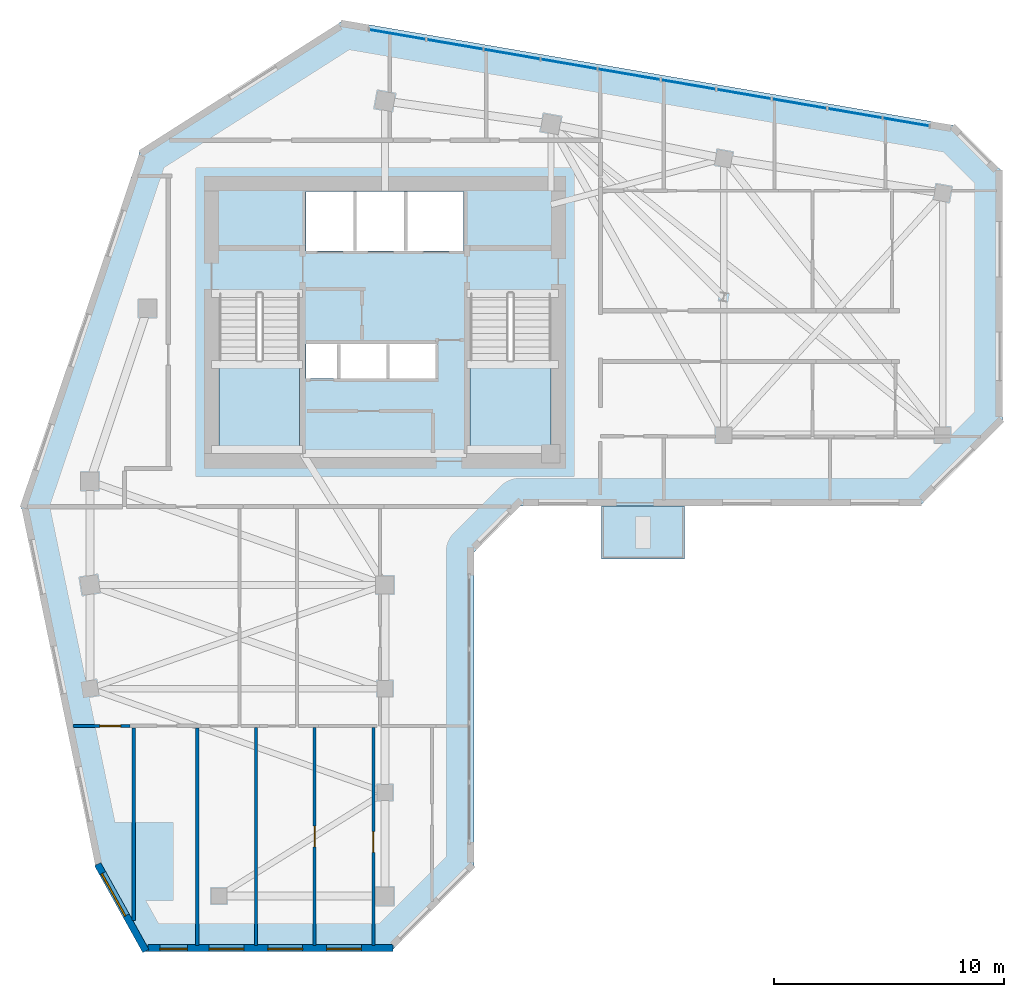
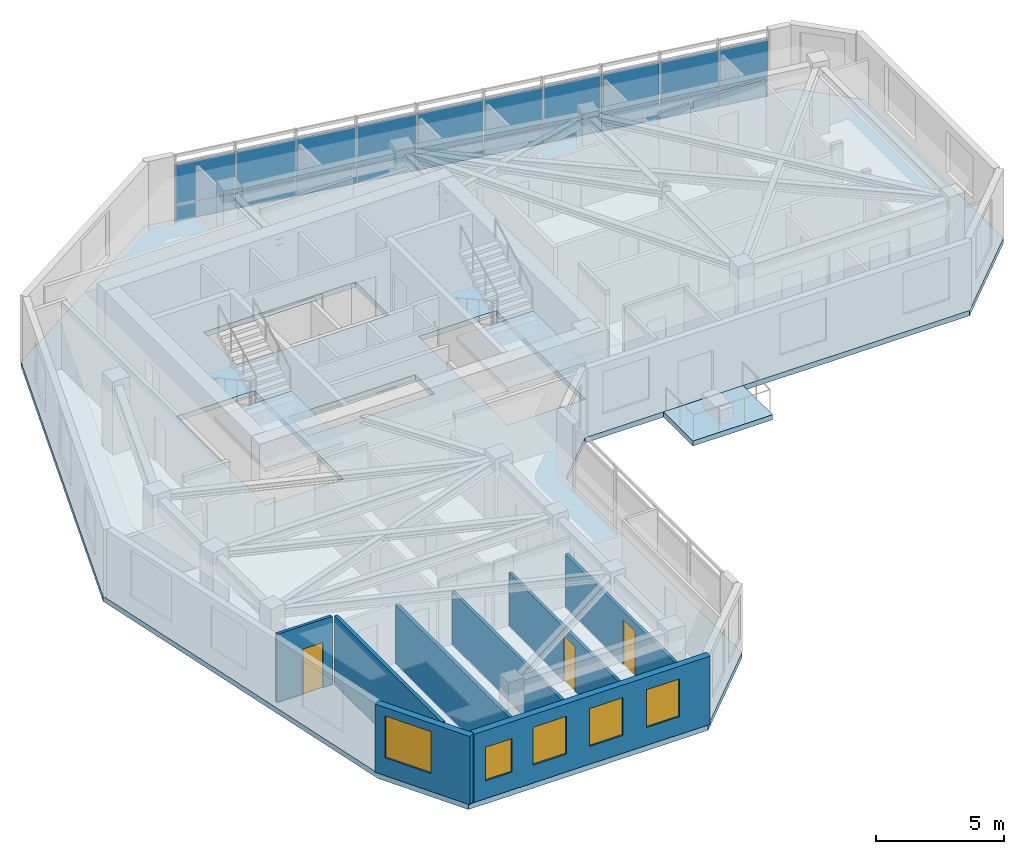
# One storey, part 4 of 11: 20 plates, 8 walls, 5 windows, 4 slabs, 3 doors, 8 openings, 3 elements without a shape of their own.
"""IFC4 building model written with IfcOpenShell, lengths in metres."""

from ifc_helpers import new_model, si_unit, direction, frame, frame_2d, origin, place, context, subcontext, project, spatial, polyline, rectangle, outline, extrude, source, transform, mapped, material, layer, layer_set, type_object, element, fill, aggregate, save


model = new_model("IFC4")

# Units and contexts
model_context = context("Model", 3, precision=1e-05, world=origin(), true_north=direction((0.0, 1.0)))
body_context = subcontext(model_context, "Body", "Model", "MODEL_VIEW")
ifc_project = project(units=[si_unit("LENGTHUNIT", "METRE"), si_unit("AREAUNIT", "SQUARE_METRE"), si_unit("VOLUMEUNIT", "CUBIC_METRE"), si_unit("PLANEANGLEUNIT", "RADIAN"), si_unit("MASSUNIT", "GRAM", prefix="KILO")], contexts=[model_context])

# Site, building, storey
site_placement = place(None, origin())
site = spatial("IfcSite", under=ifc_project, at=site_placement, CompositionType="ELEMENT")
building_placement = place(site_placement, origin())
building = spatial("IfcBuilding", under=site, at=building_placement, Name="Calvemar Wedge Station Tower", CompositionType="ELEMENT")
storey_placement = place(building_placement, frame((0.0, 0.0, 190.39990234375)))
storey = spatial("IfcBuildingStorey", under=building, at=storey_placement, Name="L47", CompositionType="ELEMENT", Elevation=190.39990234375)

# Curtain wall, plates
ifc_material_1 = material(Name="Anodised aluminium 6063-T6", Category="aluminium")
curtain_wall_type = type_object("IfcCurtainWallType", Name="CW3", PredefinedType="NOTDEFINED", material=ifc_material_1)
curtain_wall_placement = place(storey_placement, origin())
curtain_wall = element("IfcCurtainWall", 1, at=curtain_wall_placement, inside=storey, type_object=curtain_wall_type, Name="Storey L47 CW3 Recessed Unitised Curtain Wall 10", PredefinedType="NOTDEFINED")
ifc_material_2 = material(Name="Low-E laminated insulated glass", Category="glass")
ifc_layer_1 = layer(ifc_material_2, 0.028076171875)
ifc_layer_set_1 = layer_set([ifc_layer_1], Name="Low-E laminated insulated glass")
plate_type_1 = type_object("IfcPlateType", Name="CW3-GLZ", PredefinedType="CURTAIN_PANEL", material=ifc_layer_set_1)
plate_1_placement = place(storey_placement, frame((47.415771484375, 48.414794921875, 0.8701171875), z_axis=(0.0, 0.0, 1.0), x_axis=(-0.985540432015, 0.169440422758, 0.0)))
plate_1 = element("IfcPlate", 2, at=plate_1_placement, type_object=plate_type_1, Name="CW3 vision glass panel 1", PredefinedType="CURTAIN_PANEL", context=body_context, shape_type="SweptSolid", body=[
    extrude(rectangle(XDim=2.032958984375, YDim=0.028076171875, at=frame_2d((1.0166015625, 0.0))), origin(), (0.0, 0.0, 1.0), 1.909912109375),
])
plate_2_placement = place(storey_placement, frame((45.376708984375, 48.765380859375, 0.8701171875), z_axis=(0.0, 0.0, 1.0), x_axis=(-0.985524518475, 0.169532956928, 0.0)))
plate_2 = element("IfcPlate", 3, at=plate_2_placement, type_object=plate_type_1, Name="CW3 vision glass panel 2", PredefinedType="CURTAIN_PANEL", context=body_context, shape_type="SweptSolid", body=[
    extrude(rectangle(XDim=2.405029296875, YDim=0.028076171875, at=frame_2d((1.20263671875, 0.0))), origin(), (0.0, 0.0, 1.0), 1.909912109375),
])
plate_3_placement = place(storey_placement, frame((42.970947265625, 49.17919921875, 0.8701171875), z_axis=(0.0, 0.0, 1.0), x_axis=(-0.985521600301, 0.169549919904, 0.0)))
plate_3 = element("IfcPlate", 4, at=plate_3_placement, type_object=plate_type_1, Name="CW3 vision glass panel 3", PredefinedType="CURTAIN_PANEL", context=body_context, shape_type="SweptSolid", body=[
    extrude(rectangle(XDim=2.40478515625, YDim=0.028076171875, at=frame_2d((1.202392578125, 0.0))), origin(), (0.0, 0.0, 1.0), 1.909912109375),
])
plate_4_placement = place(storey_placement, frame((40.565673828125, 49.593017578125, 0.8701171875), z_axis=(0.0, 0.0, 1.0), x_axis=(-0.985513392938, 0.169597618908, 0.0)))
plate_4 = element("IfcPlate", 5, at=plate_4_placement, type_object=plate_type_1, Name="CW3 vision glass panel 4", PredefinedType="CURTAIN_PANEL", context=body_context, shape_type="SweptSolid", body=[
    extrude(rectangle(XDim=2.405517578125, YDim=0.028076171875, at=frame_2d((1.20263671875, 0.0))), origin(), (0.0, 0.0, 1.0), 1.909912109375),
])
plate_5_placement = place(storey_placement, frame((38.15966796875, 50.007080078125, 0.8701171875), z_axis=(0.0, 0.0, 1.0), x_axis=(-0.985530352195, 0.169499041006, 0.0)))
plate_5 = element("IfcPlate", 6, at=plate_5_placement, type_object=plate_type_1, Name="CW3 vision glass panel 5", PredefinedType="CURTAIN_PANEL", context=body_context, shape_type="SweptSolid", body=[
    extrude(rectangle(XDim=2.405517578125, YDim=0.028076171875, at=frame_2d((1.20263671875, 0.0))), origin(), (0.0, 0.0, 1.0), 1.909912109375),
])
plate_6_placement = place(storey_placement, frame((35.753662109375, 50.4208984375, 0.8701171875), z_axis=(0.0, 0.0, 1.0), x_axis=(-0.985520439195, 0.169556668781, 0.0)))
plate_6 = element("IfcPlate", 7, at=plate_6_placement, type_object=plate_type_1, Name="CW3 vision glass panel 6", PredefinedType="CURTAIN_PANEL", context=body_context, shape_type="SweptSolid", body=[
    extrude(rectangle(XDim=2.75439453125, YDim=0.028076171875, at=frame_2d((1.377197265625, 0.0))), origin(), (0.0, 0.0, 1.0), 1.909912109375),
])
plate_7_placement = place(storey_placement, frame((33.003662109375, 50.89404296875, 0.8701171875), z_axis=(0.0, 0.0, 1.0), x_axis=(-0.985522121529, 0.169546890203, 0.0)))
plate_7 = element("IfcPlate", 8, at=plate_7_placement, type_object=plate_type_1, Name="CW3 vision glass panel 7", PredefinedType="CURTAIN_PANEL", context=body_context, shape_type="SweptSolid", body=[
    extrude(rectangle(XDim=2.475341796875, YDim=0.028076171875, at=frame_2d((1.23779296875, 0.0))), origin(), (0.0, 0.0, 1.0), 1.909912109375),
])
plate_8_placement = place(storey_placement, frame((30.528564453125, 51.319580078125, 0.8701171875), z_axis=(0.0, 0.0, 1.0), x_axis=(-0.985505636657, 0.169642683652, 0.0)))
plate_8 = element("IfcPlate", 9, at=plate_8_placement, type_object=plate_type_1, Name="CW3 vision glass panel 8", PredefinedType="CURTAIN_PANEL", context=body_context, shape_type="SweptSolid", body=[
    extrude(rectangle(XDim=2.475341796875, YDim=0.028076171875, at=frame_2d((1.23779296875, 0.0))), origin(), (0.0, 0.0, 1.0), 1.909912109375),
])
plate_9_placement = place(storey_placement, frame((28.0537109375, 51.74560546875, 0.8701171875), z_axis=(0.0, 0.0, 1.0), x_axis=(-0.98553324407, 0.169482225713, 0.0)))
plate_9 = element("IfcPlate", 10, at=plate_9_placement, type_object=plate_type_1, Name="CW3 vision glass panel 9", PredefinedType="CURTAIN_PANEL", context=body_context, shape_type="SweptSolid", body=[
    extrude(rectangle(XDim=2.4833984375, YDim=0.028076171875, at=frame_2d((1.24169921875, 0.0))), origin(), (0.0, 0.0, 1.0), 1.909912109375),
])
plate_10_placement = place(storey_placement, frame((25.57080078125, 52.172607421875, 0.8701171875), z_axis=(0.0, 0.0, 1.0), x_axis=(-0.985516819371, 0.169577707074, 0.0)))
plate_10 = element("IfcPlate", 11, at=plate_10_placement, type_object=plate_type_1, Name="CW3 vision glass panel 10", PredefinedType="CURTAIN_PANEL", context=body_context, shape_type="SweptSolid", body=[
    extrude(rectangle(XDim=2.4833984375, YDim=0.028076171875, at=frame_2d((1.24169921875, 0.0))), origin(), (0.0, 0.0, 1.0), 1.909912109375),
])
ifc_material_3 = material(Name="Oxidized bronze aluminium spandrel panel 5005-H24", Category="aluminium")
ifc_layer_2 = layer(ifc_material_3, 0.0400390625)
ifc_layer_set_2 = layer_set([ifc_layer_2], Name="Oxidized bronze aluminium spandrel panel 5005-H24")
plate_type_2 = type_object("IfcPlateType", Name="CW3-SPD", PredefinedType="SHEET", material=ifc_layer_set_2)
plate_11_placement = place(storey_placement, frame((47.415771484375, 48.414794921875, 0.080078125), z_axis=(0.0, 0.0, 1.0), x_axis=(-0.985540432015, 0.169440422758, 0.0)))
plate_11 = element("IfcPlate", 12, at=plate_11_placement, type_object=plate_type_2, Name="CW3 bronze spandrel panel 1", PredefinedType="SHEET", context=body_context, shape_type="SweptSolid", body=[
    extrude(rectangle(XDim=2.032958984375, YDim=0.0400390625, at=frame_2d((1.0166015625, 0.0))), origin(), (0.0, 0.0, 1.0), 0.75),
])
plate_12_placement = place(storey_placement, frame((45.376708984375, 48.765380859375, 0.080078125), z_axis=(0.0, 0.0, 1.0), x_axis=(-0.985524518475, 0.169532956928, 0.0)))
plate_12 = element("IfcPlate", 13, at=plate_12_placement, type_object=plate_type_2, Name="CW3 bronze spandrel panel 2", PredefinedType="SHEET", context=body_context, shape_type="SweptSolid", body=[
    extrude(rectangle(XDim=2.405029296875, YDim=0.0400390625, at=frame_2d((1.20263671875, 0.0))), origin(), (0.0, 0.0, 1.0), 0.75),
])
plate_13_placement = place(storey_placement, frame((42.970947265625, 49.17919921875, 0.080078125), z_axis=(0.0, 0.0, 1.0), x_axis=(-0.985521600301, 0.169549919904, 0.0)))
plate_13 = element("IfcPlate", 14, at=plate_13_placement, type_object=plate_type_2, Name="CW3 bronze spandrel panel 3", PredefinedType="SHEET", context=body_context, shape_type="SweptSolid", body=[
    extrude(rectangle(XDim=2.40478515625, YDim=0.0400390625, at=frame_2d((1.202392578125, 0.0))), origin(), (0.0, 0.0, 1.0), 0.75),
])
plate_14_placement = place(storey_placement, frame((40.565673828125, 49.593017578125, 0.080078125), z_axis=(0.0, 0.0, 1.0), x_axis=(-0.985513392938, 0.169597618908, 0.0)))
plate_14 = element("IfcPlate", 15, at=plate_14_placement, type_object=plate_type_2, Name="CW3 bronze spandrel panel 4", PredefinedType="SHEET", context=body_context, shape_type="SweptSolid", body=[
    extrude(rectangle(XDim=2.405517578125, YDim=0.0400390625, at=frame_2d((1.20263671875, 0.0))), origin(), (0.0, 0.0, 1.0), 0.75),
])
plate_15_placement = place(storey_placement, frame((38.15966796875, 50.007080078125, 0.080078125), z_axis=(0.0, 0.0, 1.0), x_axis=(-0.985530352195, 0.169499041006, 0.0)))
plate_15 = element("IfcPlate", 16, at=plate_15_placement, type_object=plate_type_2, Name="CW3 bronze spandrel panel 5", PredefinedType="SHEET", context=body_context, shape_type="SweptSolid", body=[
    extrude(rectangle(XDim=2.405517578125, YDim=0.0400390625, at=frame_2d((1.20263671875, 0.0))), origin(), (0.0, 0.0, 1.0), 0.75),
])
plate_16_placement = place(storey_placement, frame((35.753662109375, 50.4208984375, 0.080078125), z_axis=(0.0, 0.0, 1.0), x_axis=(-0.985520439195, 0.169556668781, 0.0)))
plate_16 = element("IfcPlate", 17, at=plate_16_placement, type_object=plate_type_2, Name="CW3 bronze spandrel panel 6", PredefinedType="SHEET", context=body_context, shape_type="SweptSolid", body=[
    extrude(rectangle(XDim=2.75439453125, YDim=0.0400390625, at=frame_2d((1.377197265625, 0.0))), origin(), (0.0, 0.0, 1.0), 0.75),
])
plate_17_placement = place(storey_placement, frame((33.003662109375, 50.89404296875, 0.080078125), z_axis=(0.0, 0.0, 1.0), x_axis=(-0.985522121529, 0.169546890203, 0.0)))
plate_17 = element("IfcPlate", 18, at=plate_17_placement, type_object=plate_type_2, Name="CW3 bronze spandrel panel 7", PredefinedType="SHEET", context=body_context, shape_type="SweptSolid", body=[
    extrude(rectangle(XDim=2.475341796875, YDim=0.0400390625, at=frame_2d((1.23779296875, 0.0))), origin(), (0.0, 0.0, 1.0), 0.75),
])
plate_18_placement = place(storey_placement, frame((30.528564453125, 51.319580078125, 0.080078125), z_axis=(0.0, 0.0, 1.0), x_axis=(-0.985505636657, 0.169642683652, 0.0)))
plate_18 = element("IfcPlate", 19, at=plate_18_placement, type_object=plate_type_2, Name="CW3 bronze spandrel panel 8", PredefinedType="SHEET", context=body_context, shape_type="SweptSolid", body=[
    extrude(rectangle(XDim=2.475341796875, YDim=0.0400390625, at=frame_2d((1.23779296875, 0.0))), origin(), (0.0, 0.0, 1.0), 0.75),
])
plate_19_placement = place(storey_placement, frame((28.0537109375, 51.74560546875, 0.080078125), z_axis=(0.0, 0.0, 1.0), x_axis=(-0.98553324407, 0.169482225713, 0.0)))
plate_19 = element("IfcPlate", 20, at=plate_19_placement, type_object=plate_type_2, Name="CW3 bronze spandrel panel 9", PredefinedType="SHEET", context=body_context, shape_type="SweptSolid", body=[
    extrude(rectangle(XDim=2.4833984375, YDim=0.0400390625, at=frame_2d((1.24169921875, 0.0))), origin(), (0.0, 0.0, 1.0), 0.75),
])
plate_20_placement = place(storey_placement, frame((25.57080078125, 52.172607421875, 0.080078125), z_axis=(0.0, 0.0, 1.0), x_axis=(-0.985516819371, 0.169577707074, 0.0)))
plate_20 = element("IfcPlate", 21, at=plate_20_placement, type_object=plate_type_2, Name="CW3 bronze spandrel panel 10", PredefinedType="SHEET", context=body_context, shape_type="SweptSolid", body=[
    extrude(rectangle(XDim=2.4833984375, YDim=0.0400390625, at=frame_2d((1.24169921875, 0.0))), origin(), (0.0, 0.0, 1.0), 0.75),
])
aggregate(curtain_wall, [plate_11, plate_1, plate_12, plate_2, plate_13, plate_3, plate_14, plate_4, plate_15, plate_5, plate_16, plate_6, plate_17, plate_7, plate_18, plate_8, plate_19, plate_9, plate_20, plate_10])

# Stair, slab
ifc_material_4 = material(Name="Concrete C45", Category="concrete")
stair_type = type_object("IfcStairType", Name="ST-TYPE-3500", PredefinedType="HALF_TURN_STAIR", material=ifc_material_4)
stair_1_placement = place(storey_placement, origin())
stair_1 = element("IfcStair", 22, at=stair_1_placement, inside=storey, type_object=stair_type, Name="L47 Pressurized Core Exit Stair ST-C1", PredefinedType="HALF_TURN_STAIR")
ifc_layer_3 = layer(ifc_material_4, 0.199951171875)
ifc_layer_set_3 = layer_set([ifc_layer_3], Name="Concrete C45")
slab_type_1 = type_object("IfcSlabType", Name="SL-STAIR-LND-200", PredefinedType="LANDING", material=ifc_layer_set_3)
slab_1_placement = place(storey_placement, frame((0.0, 0.0, 1.550048828125)))
slab_1 = element("IfcSlab", 23, at=slab_1_placement, type_object=slab_type_1, Name="ST-C1 landing 1", PredefinedType="LANDING", context=body_context, shape_type="SweptSolid", body=[
    extrude(outline(polyline([(16.60009765625, 38.25), (16.60009765625, 34.199951171875), (20.10009765625, 34.199951171875), (20.10009765625, 38.25), (16.60009765625, 38.25)])), origin(), (0.0, 0.0, 1.0), 0.199951171875),
])
aggregate(stair_1, [slab_1])

stair_2_placement = place(storey_placement, origin())
stair_2 = element("IfcStair", 24, at=stair_2_placement, inside=storey, type_object=stair_type, Name="L47 Pressurized Core Exit Stair ST-C2", PredefinedType="HALF_TURN_STAIR")
slab_2_placement = place(storey_placement, frame((0.0, 0.0, 1.550048828125)))
slab_2 = element("IfcSlab", 25, at=slab_2_placement, type_object=slab_type_1, Name="ST-C2 landing 1", PredefinedType="LANDING", context=body_context, shape_type="SweptSolid", body=[
    extrude(outline(polyline([(27.5, 38.25), (27.5, 34.199951171875), (31.0, 34.199951171875), (31.0, 38.25), (27.5, 38.25)])), origin(), (0.0, 0.0, 1.0), 0.199951171875),
])
aggregate(stair_2, [slab_2])

# Slabs
ifc_layer_4 = layer(ifc_material_4, 0.239990234375)
ifc_layer_set_4 = layer_set([ifc_layer_4], Name="Concrete C45")
slab_type_2 = type_object("IfcSlabType", Name="SL-TERR-240", PredefinedType="FLOOR", material=ifc_layer_set_4)
slab_3_placement = place(storey_placement, frame((0.0, 0.0, -0.239990234375)))
element("IfcSlab", 26, at=slab_3_placement, inside=storey, type_object=slab_type_2, Name="Storey L47 Planted Spiral Terrace Slab", PredefinedType="FLOOR", context=body_context, shape_type="SweptSolid", body=[
    extrude(outline(polyline([(33.199951171875, 31.924072265625), (33.199951171875, 29.6240234375), (36.800048828125, 29.6240234375), (36.800048828125, 31.924072265625), (33.199951171875, 31.924072265625)])), origin(), (0.0, 0.0, 1.0), 0.239990234375),
])
ifc_material_5 = material(Name="Concrete C50", Category="concrete")
ifc_layer_5 = layer(ifc_material_5, 0.25)
ifc_layer_set_5 = layer_set([ifc_layer_5], Name="Concrete C50")
slab_type_3 = type_object("IfcSlabType", Name="SL-TYP-250", PredefinedType="FLOOR", material=ifc_layer_set_5)
slab_4_placement = place(storey_placement, frame((0.0, 0.0, -0.25)))
element("IfcSlab", 27, at=slab_4_placement, inside=storey, type_object=slab_type_3, Name="Storey L47 Structural Floor Slab", PredefinedType="FLOOR", context=body_context, shape_type="SweptSolid", body=[
    extrude(outline(polyline([(8.0, 32.0), (11.263916015625, 16.199951171875), (13.263916015625, 12.60009765625), (24.06396484375, 12.60009765625), (27.6640625, 16.199951171875), (27.6640625, 29.924072265625), (29.6640625, 31.924072265625), (47.0, 31.924072265625), (50.60009765625, 35.52392578125), (50.60009765625, 46.424072265625), (48.60009765625, 48.424072265625), (22.0, 53.0), (13.199951171875, 47.39990234375), (8.0, 32.0)]), holes=[polyline([(20.10009765625, 34.199951171875), (20.10009765625, 41.14990234375), (16.60009765625, 41.14990234375), (16.60009765625, 34.199951171875), (20.10009765625, 34.199951171875)]), polyline([(27.5, 34.199951171875), (31.0, 34.199951171875), (31.0, 41.14990234375), (27.5, 41.14990234375), (27.5, 34.199951171875)]), polyline([(21.800048828125, 37.449951171875), (23.929931640625, 37.449951171875), (23.93994140625, 37.449951171875), (26.080078125, 37.449951171875), (26.080078125, 38.949951171875), (23.93994140625, 38.949951171875), (23.929931640625, 38.949951171875), (21.800048828125, 38.949951171875), (21.7900390625, 38.949951171875), (20.3798828125, 38.949951171875), (20.3798828125, 37.449951171875), (21.7900390625, 37.449951171875), (21.800048828125, 37.449951171875)]), polyline([(27.219970703125, 43.0), (27.219970703125, 45.580078125), (20.3798828125, 45.580078125), (20.3798828125, 43.0), (27.219970703125, 43.0)])]), origin(), (0.0, 0.0, 1.0), 0.25),
])

# Wall, opening, window
ifc_material_6 = material(Name="Precast concrete C45", Category="concrete")
ifc_layer_6 = layer(ifc_material_6, 0.300048828125)
ifc_layer_set_6 = layer_set([ifc_layer_6], Name="Precast concrete C45")
wall_type_1 = type_object("IfcWallType", Name="W-EXT-GFRC-300", PredefinedType="SOLIDWALL", material=ifc_layer_set_6)
wall_1_placement = place(storey_placement, frame((11.33349609375, 16.3837890625, 0.0), z_axis=(0.0, 0.0, 1.0), x_axis=(0.485633305139, -0.874162623852, 0.0)))
wall_1 = element("IfcWall", 28, at=wall_1_placement, inside=storey, type_object=wall_type_1, Name="Storey L47 Bronze GFRC Exterior Wall 1", PredefinedType="SOLIDWALL", context=body_context, shape_type="SweptSolid", body=[
    extrude(rectangle(XDim=4.306884765625, YDim=0.300048828125, at=frame_2d((2.1533203125, 0.0))), origin(), (0.0, 0.0, 1.0), 3.25),
])
shared_shape_1 = source(origin(), body_context, "Body", "SweptSolid", [
    extrude(rectangle(XDim=2.10009765625, YDim=2.0, at=frame_2d((1.050048828125, 1.0))), frame((0.0, 0.16015625, 0.0), z_axis=(0.0, -1.0, 0.0), x_axis=(1.0, 0.0, 0.0)), (0.0, 0.0, 1.0), 0.320068359375),
])
opening_1_placement = place(wall_1_placement, frame((0.446044921875, 0.0, 0.85009765625)))
opening_1 = element("IfcOpeningElement", 29, at=opening_1_placement, cuts=wall_1, Name="Opening W4", PredefinedType="OPENING", context=body_context, shape_type="MappedRepresentation", body=[
    mapped(shared_shape_1, transform((0.0, 0.0, 0.0), scale=1.0)),
])
window_type_1 = type_object("IfcWindowType", Name="WIN-EXT-4", PartitioningType="SINGLE_PANEL", PredefinedType="WINDOW", material=ifc_material_2)
shared_shape_2 = source(origin(), body_context, "Body", "SweptSolid", [
    extrude(rectangle(XDim=2.10009765625, YDim=2.0, at=frame_2d((1.050048828125, 1.0))), frame((0.0, -0.014892578125, 0.0), z_axis=(0.0, -1.0, 0.0), x_axis=(1.0, 0.0, 0.0)), (0.0, 0.0, 1.0), 0.06005859375),
])
window_1_placement = place(opening_1_placement, origin())
window_1 = element("IfcWindow", 30, at=window_1_placement, inside=storey, type_object=window_type_1, Name="Storey L47 Recessed Window 1.1", OverallHeight=2.0, OverallWidth=2.10009765625, PartitioningType="SINGLE_PANEL", PredefinedType="WINDOW", context=body_context, shape_type="MappedRepresentation", body=[
    mapped(shared_shape_2, transform((0.0, 0.0, 0.0), scale=1.0)),
])
fill(opening_1, window_1)

# Wall, openings, windows
wall_2_placement = place(storey_placement, frame((13.510009765625, 12.75, 0.0), z_axis=(0.0, 0.0, 1.0), x_axis=(1.0, 0.0, 0.0)))
wall_2 = element("IfcWall", 31, at=wall_2_placement, inside=storey, type_object=wall_type_1, Name="Storey L47 Bronze GFRC Exterior Wall 2", PredefinedType="SOLIDWALL", context=body_context, shape_type="SweptSolid", body=[
    extrude(rectangle(XDim=10.641845703125, YDim=0.300048828125, at=frame_2d((5.32080078125, 0.0))), origin(), (0.0, 0.0, 1.0), 3.25),
])
shared_shape_3 = source(origin(), body_context, "Body", "SweptSolid", [
    extrude(rectangle(XDim=1.199951171875, YDim=1.60009765625, at=frame_2d((0.60009765625, 0.800048828125))), frame((0.0, 0.16015625, 0.0), z_axis=(0.0, -1.0, 0.0), x_axis=(1.0, 0.0, 0.0)), (0.0, 0.0, 1.0), 0.320068359375),
])
opening_2_placement = place(wall_2_placement, frame((0.52001953125, 0.0, 0.85009765625)))
opening_2 = element("IfcOpeningElement", 32, at=opening_2_placement, cuts=wall_2, Name="Opening W5", PredefinedType="OPENING", context=body_context, shape_type="MappedRepresentation", body=[
    mapped(shared_shape_3, transform((0.0, 0.0, 0.0), scale=1.0)),
])
shared_shape_4 = source(origin(), body_context, "Body", "SweptSolid", [
    extrude(rectangle(XDim=1.5, YDim=1.800048828125, at=frame_2d((0.75, 0.89990234375))), frame((0.0, 0.16015625, 0.0), z_axis=(0.0, -1.0, 0.0), x_axis=(1.0, 0.0, 0.0)), (0.0, 0.0, 1.0), 0.320068359375),
])
opening_3_placement = place(wall_2_placement, frame((2.6650390625, 0.0, 0.85009765625)))
opening_3 = element("IfcOpeningElement", 33, at=opening_3_placement, cuts=wall_2, Name="Opening W3", PredefinedType="OPENING", context=body_context, shape_type="MappedRepresentation", body=[
    mapped(shared_shape_4, transform((0.0, 0.0, 0.0), scale=1.0)),
])
opening_4_placement = place(wall_2_placement, frame((5.215087890625, 0.0, 0.85009765625)))
opening_4 = element("IfcOpeningElement", 34, at=opening_4_placement, cuts=wall_2, Name="Opening W3", PredefinedType="OPENING", context=body_context, shape_type="MappedRepresentation", body=[
    mapped(shared_shape_4, transform((0.0, 0.0, 0.0), scale=1.0)),
])
opening_5_placement = place(wall_2_placement, frame((7.764892578125, 0.0, 0.85009765625)))
opening_5 = element("IfcOpeningElement", 35, at=opening_5_placement, cuts=wall_2, Name="Opening W3", PredefinedType="OPENING", context=body_context, shape_type="MappedRepresentation", body=[
    mapped(shared_shape_4, transform((0.0, 0.0, 0.0), scale=1.0)),
])
window_type_2 = type_object("IfcWindowType", Name="WIN-EXT-3", PartitioningType="SINGLE_PANEL", PredefinedType="WINDOW", material=ifc_material_2)
shared_shape_5 = source(origin(), body_context, "Body", "SweptSolid", [
    extrude(rectangle(XDim=1.5, YDim=1.800048828125, at=frame_2d((0.75, 0.89990234375))), frame((0.0, -0.014892578125, 0.0), z_axis=(0.0, -1.0, 0.0), x_axis=(1.0, 0.0, 0.0)), (0.0, 0.0, 1.0), 0.06005859375),
])
window_2_placement = place(opening_3_placement, origin())
window_2 = element("IfcWindow", 36, at=window_2_placement, inside=storey, type_object=window_type_2, Name="Storey L47 Recessed Window 2.2", OverallHeight=1.800048828125, OverallWidth=1.5, PartitioningType="SINGLE_PANEL", PredefinedType="WINDOW", context=body_context, shape_type="MappedRepresentation", body=[
    mapped(shared_shape_5, transform((0.0, 0.0, 0.0), scale=1.0)),
])
fill(opening_3, window_2)
window_3_placement = place(opening_4_placement, origin())
window_3 = element("IfcWindow", 37, at=window_3_placement, inside=storey, type_object=window_type_2, Name="Storey L47 Recessed Window 2.3", OverallHeight=1.800048828125, OverallWidth=1.5, PartitioningType="SINGLE_PANEL", PredefinedType="WINDOW", context=body_context, shape_type="MappedRepresentation", body=[
    mapped(shared_shape_5, transform((0.0, 0.0, 0.0), scale=1.0)),
])
fill(opening_4, window_3)
window_4_placement = place(opening_5_placement, origin())
window_4 = element("IfcWindow", 38, at=window_4_placement, inside=storey, type_object=window_type_2, Name="Storey L47 Recessed Window 2.4", OverallHeight=1.800048828125, OverallWidth=1.5, PartitioningType="SINGLE_PANEL", PredefinedType="WINDOW", context=body_context, shape_type="MappedRepresentation", body=[
    mapped(shared_shape_5, transform((0.0, 0.0, 0.0), scale=1.0)),
])
fill(opening_5, window_4)
window_type_3 = type_object("IfcWindowType", Name="WIN-EXT-5", PartitioningType="SINGLE_PANEL", PredefinedType="WINDOW", material=ifc_material_2)
shared_shape_6 = source(origin(), body_context, "Body", "SweptSolid", [
    extrude(rectangle(XDim=1.199951171875, YDim=1.60009765625, at=frame_2d((0.60009765625, 0.800048828125))), frame((0.0, -0.014892578125, 0.0), z_axis=(0.0, -1.0, 0.0), x_axis=(1.0, 0.0, 0.0)), (0.0, 0.0, 1.0), 0.06005859375),
])
window_5_placement = place(opening_2_placement, origin())
window_5 = element("IfcWindow", 39, at=window_5_placement, inside=storey, type_object=window_type_3, Name="Storey L47 Recessed Window 2.1", OverallHeight=1.60009765625, OverallWidth=1.199951171875, PartitioningType="SINGLE_PANEL", PredefinedType="WINDOW", context=body_context, shape_type="MappedRepresentation", body=[
    mapped(shared_shape_6, transform((0.0, 0.0, 0.0), scale=1.0)),
])
fill(opening_2, window_5)

# Wall, opening, door
ifc_material_7 = material(Name="Insulated acoustic gypsum stud partition")
ifc_layer_7 = layer(ifc_material_7, 0.125)
ifc_layer_set_7 = layer_set([ifc_layer_7], Name="Insulated acoustic gypsum stud partition")
wall_type_2 = type_object("IfcWallType", Name="W-PART-125", PredefinedType="PARTITIONING", material=ifc_layer_set_7)
wall_3_placement = place(storey_placement, frame((12.738037109375, 22.383056640625, 0.0), z_axis=(0.0, 0.0, 1.0), x_axis=(-1.0, 0.0, 0.0)))
wall_3 = element("IfcWall", 40, at=wall_3_placement, inside=storey, type_object=wall_type_2, Name="Storey L47 Interior Partition WL-L47-058", PredefinedType="PARTITIONING", context=body_context, shape_type="SweptSolid", body=[
    extrude(rectangle(XDim=2.480712890625, YDim=0.125, at=frame_2d((1.240234375, 0.0))), origin(), (0.0, 0.0, 1.0), 3.25),
])
shared_shape_7 = source(origin(), body_context, "Body", "SweptSolid", [
    extrude(rectangle(XDim=0.89990234375, YDim=2.14990234375, at=frame_2d((0.449951171875, 1.074951171875))), frame((0.0, 0.072509765625, 0.0), z_axis=(0.0, -1.0, 0.0), x_axis=(1.0, 0.0, 0.0)), (0.0, 0.0, 1.0), 0.14501953125),
])
opening_6_placement = place(wall_3_placement, frame((0.40771484375, 0.0, 0.0)))
opening_6 = element("IfcOpeningElement", 41, at=opening_6_placement, cuts=wall_3, Name="Opening D-01", PredefinedType="OPENING", context=body_context, shape_type="MappedRepresentation", body=[
    mapped(shared_shape_7, transform((0.0, 0.0, 0.0), scale=1.0)),
])
ifc_material_8 = material(Name="Architectural hardwood acoustic swing door", Category="wood")
door_type = type_object("IfcDoorType", Name="DR-INT-900", OperationType="NOTDEFINED", PredefinedType="DOOR", material=ifc_material_8)
shared_shape_8 = source(origin(), body_context, "Body", "SweptSolid", [
    extrude(rectangle(XDim=0.89990234375, YDim=2.14990234375, at=frame_2d((0.449951171875, 1.074951171875))), frame((0.0, 0.02490234375, 0.0), z_axis=(0.0, -1.0, 0.0), x_axis=(1.0, 0.0, 0.0)), (0.0, 0.0, 1.0), 0.050048828125),
])
door_1_placement = place(opening_6_placement, origin())
door_1 = element("IfcDoor", 42, at=door_1_placement, inside=storey, type_object=door_type, Name="L47 Bedroom Door", OperationType="SINGLE_SWING_RIGHT", OverallHeight=2.14990234375, OverallWidth=0.89990234375, PredefinedType="DOOR", context=body_context, shape_type="MappedRepresentation", body=[
    mapped(shared_shape_8, transform((0.0, 0.0, 0.0), scale=1.0)),
])
fill(opening_6, door_1)

# Wall
wall_4_placement = place(storey_placement, frame((18.199951171875, 22.31640625, 0.0), z_axis=(0.0, 0.0, 1.0), x_axis=(0.0, -1.0, 0.0)))
element("IfcWall", 43, at=wall_4_placement, inside=storey, type_object=wall_type_2, Name="Storey L47 Interior Partition WL-L47-064", PredefinedType="PARTITIONING", context=body_context, shape_type="SweptSolid", body=[
    extrude(rectangle(XDim=9.451416015625, YDim=0.125, at=frame_2d((4.7255859375, 0.0))), origin(), (0.0, 0.0, 1.0), 2.5419921875),
])

# Wall, opening, door
wall_5_placement = place(storey_placement, frame((20.75, 22.31640625, 0.0), z_axis=(0.0, 0.0, 1.0), x_axis=(0.0, -1.0, 0.0)))
wall_5 = element("IfcWall", 44, at=wall_5_placement, inside=storey, type_object=wall_type_2, Name="Storey L47 Interior Partition WL-L47-065", PredefinedType="PARTITIONING", context=body_context, shape_type="SweptSolid", body=[
    extrude(rectangle(XDim=9.451416015625, YDim=0.125, at=frame_2d((4.7255859375, 0.0))), origin(), (0.0, 0.0, 1.0), 2.5419921875),
])
opening_7_placement = place(wall_5_placement, frame((4.27587890625, 0.0, 0.0)))
opening_7 = element("IfcOpeningElement", 45, at=opening_7_placement, cuts=wall_5, Name="Opening D-01", PredefinedType="OPENING", context=body_context, shape_type="MappedRepresentation", body=[
    mapped(shared_shape_7, transform((0.0, 0.0, 0.0), scale=1.0)),
])
door_2_placement = place(opening_7_placement, origin())
door_2 = element("IfcDoor", 46, at=door_2_placement, inside=storey, type_object=door_type, Name="L47 Bedroom Door", OperationType="SINGLE_SWING_LEFT", OverallHeight=2.14990234375, OverallWidth=0.89990234375, PredefinedType="DOOR", context=body_context, shape_type="MappedRepresentation", body=[
    mapped(shared_shape_8, transform((0.0, 0.0, 0.0), scale=1.0)),
])
fill(opening_7, door_2)

wall_6_placement = place(storey_placement, frame((23.300048828125, 22.31640625, 0.0), z_axis=(0.0, 0.0, 1.0), x_axis=(0.0, -1.0, 0.0)))
wall_6 = element("IfcWall", 47, at=wall_6_placement, inside=storey, type_object=wall_type_2, Name="Storey L47 Interior Partition WL-L47-066", PredefinedType="PARTITIONING", context=body_context, shape_type="SweptSolid", body=[
    extrude(rectangle(XDim=9.451416015625, YDim=0.125, at=frame_2d((4.7255859375, 0.0))), origin(), (0.0, 0.0, 1.0), 2.5419921875),
])
opening_8_placement = place(wall_6_placement, frame((4.517822265625, 0.0, 0.0)))
opening_8 = element("IfcOpeningElement", 48, at=opening_8_placement, cuts=wall_6, Name="Opening D-01", PredefinedType="OPENING", context=body_context, shape_type="MappedRepresentation", body=[
    mapped(shared_shape_7, transform((0.0, 0.0, 0.0), scale=1.0)),
])
door_3_placement = place(opening_8_placement, origin())
door_3 = element("IfcDoor", 49, at=door_3_placement, inside=storey, type_object=door_type, Name="L47 Bedroom Door", OperationType="SINGLE_SWING_RIGHT", OverallHeight=2.14990234375, OverallWidth=0.89990234375, PredefinedType="DOOR", context=body_context, shape_type="MappedRepresentation", body=[
    mapped(shared_shape_8, transform((0.0, 0.0, 0.0), scale=1.0)),
])
fill(opening_8, door_3)

# Walls
ifc_material_9 = material(Name="Moisture-resistant acoustic bathroom partition")
ifc_layer_8 = layer(ifc_material_9, 0.14990234375)
ifc_layer_set_8 = layer_set([ifc_layer_8], Name="Moisture-resistant acoustic bathroom partition")
wall_type_3 = type_object("IfcWallType", Name="W-WET-150", PredefinedType="PARTITIONING", material=ifc_layer_set_8)
wall_7_placement = place(storey_placement, frame((12.89990234375, 13.945068359375, 0.0), z_axis=(0.0, 0.0, 1.0), x_axis=(0.0, 1.0, 0.0)))
element("IfcWall", 50, at=wall_7_placement, inside=storey, type_object=wall_type_3, Name="Storey L47 Interior Partition WL-L47-062", PredefinedType="PARTITIONING", context=body_context, shape_type="SweptSolid", body=[
    extrude(rectangle(XDim=8.35888671875, YDim=0.14990234375, at=frame_2d((4.179443359375, 0.0))), origin(), (0.0, 0.0, 1.0), 3.25),
])
wall_8_placement = place(storey_placement, frame((15.64990234375, 22.303955078125, 0.0), z_axis=(0.0, 0.0, 1.0), x_axis=(0.0, -1.0, 0.0)))
element("IfcWall", 51, at=wall_8_placement, inside=storey, type_object=wall_type_3, Name="Storey L47 Interior Partition WL-L47-063", PredefinedType="PARTITIONING", context=body_context, shape_type="SweptSolid", body=[
    extrude(rectangle(XDim=9.43896484375, YDim=0.14990234375, at=frame_2d((4.719482421875, 0.0))), origin(), (0.0, 0.0, 1.0), 2.822021484375),
])

save(model, "model.ifc")
